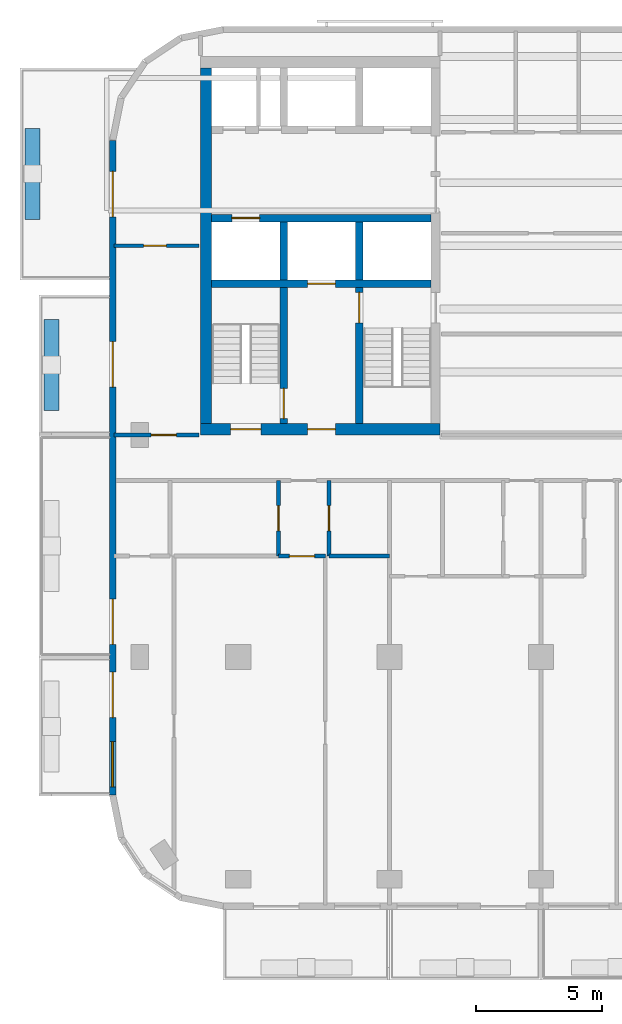
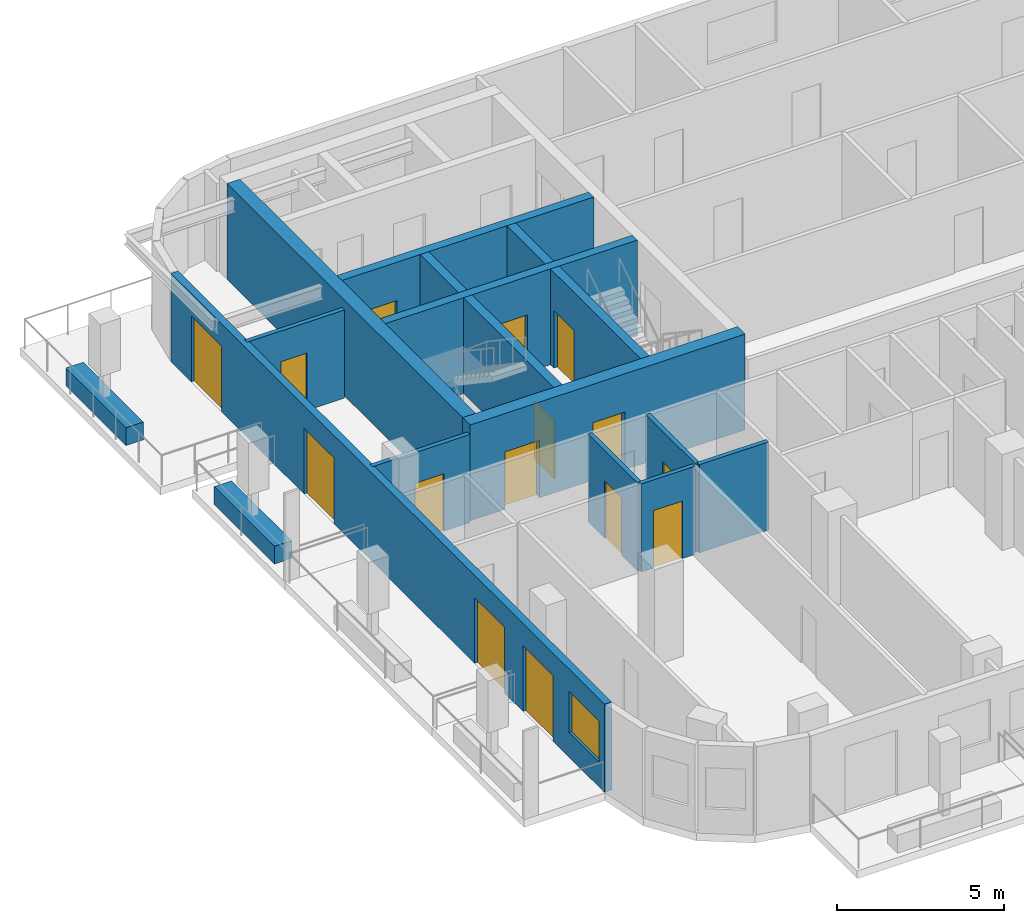
# One storey, part 3 of 11: 17 walls, 15 doors, 1 window, 16 openings.
"""IFC4 building model written with IfcOpenShell, lengths in metres."""

from ifc_helpers import new_model, si_unit, direction, frame, frame_2d, origin, place, context, subcontext, project, spatial, rectangle, extrude, material, layer, layer_set, type_object, element, fill, save


model = new_model("IFC4")

# Units and contexts
model_context = context("Model", 3, precision=1e-05, world=origin(), true_north=direction((0.0, 1.0)))
body_context = subcontext(model_context, "Body", "Model", "MODEL_VIEW")
ifc_project = project(units=[si_unit("LENGTHUNIT", "METRE"), si_unit("AREAUNIT", "SQUARE_METRE"), si_unit("VOLUMEUNIT", "CUBIC_METRE"), si_unit("PLANEANGLEUNIT", "RADIAN"), si_unit("MASSUNIT", "GRAM", prefix="KILO")], contexts=[model_context])

# Site, building, storey
site_placement = place(None, origin())
site = spatial("IfcSite", under=ifc_project, at=site_placement, CompositionType="ELEMENT")
building_placement = place(site_placement, origin())
building = spatial("IfcBuilding", under=site, at=building_placement, Name="Torana Hotel and Residences", CompositionType="ELEMENT")
storey_placement = place(building_placement, frame((0.0, 0.0, 256.10009765625)))
storey = spatial("IfcBuildingStorey", under=building, at=storey_placement, Name="L67", CompositionType="ELEMENT", Elevation=256.10009765625)

# Wall, opening, door
ifc_material_1 = material(Name="Concrete C60/75", Category="concrete")
ifc_layer_1 = layer(ifc_material_1, 0.300048828125)
ifc_layer_set_1 = layer_set([ifc_layer_1], Name="CORE WALL 300 C60/75")
wall_type_1 = type_object("IfcWallType", Name="CORE WALL 300 C60/75", PredefinedType="SHEAR", material=ifc_layer_set_1)
wall_1_placement = place(storey_placement, frame((-19.050048828125, -6.39990234375, 0.0), z_axis=(0.0, 0.0, 1.0), x_axis=(1.0, 0.0, 0.0)))
wall_1 = element("IfcWall", 1, at=wall_1_placement, inside=storey, type_object=wall_type_1, Name="Core wall W row-S", PredefinedType="SHEAR", context=body_context, shape_type="SweptSolid", body=[
    extrude(rectangle(XDim=8.699951171875, YDim=0.300048828125, at=frame_2d((4.35009765625, 0.0))), origin(), (0.0, 0.0, 1.0), 3.5),
])
opening_1_placement = place(wall_1_placement, frame((0.800048828125, 0.0, 0.0)))
opening_1 = element("IfcOpeningElement", 2, at=opening_1_placement, cuts=wall_1, Name="Opening LD", PredefinedType="OPENING", context=body_context, shape_type="SweptSolid", body=[
    extrude(rectangle(XDim=1.10009765625, YDim=2.10009765625, at=frame_2d((0.550048828125, 1.050048828125))), frame((0.0, 0.159912109375, 0.0), z_axis=(0.0, -1.0, 0.0), x_axis=(1.0, 0.0, 0.0)), (0.0, 0.0, 1.0), 0.320068359375),
])
ifc_material_2 = material(Name="Stainless steel 316", Category="steel")
door_type_1 = type_object("IfcDoorType", Name="LIFT LANDING DOOR LD 1100x2100", OperationType="DOUBLE_DOOR_SLIDING", PredefinedType="USERDEFINED", material=ifc_material_2)
door_1_placement = place(opening_1_placement, origin())
door_1 = element("IfcDoor", 3, at=door_1_placement, inside=storey, type_object=door_type_1, Name="Lift landing door SV1 L67", ObjectType="LIFT LANDING DOOR", OperationType="DOUBLE_DOOR_SLIDING", OverallHeight=2.10009765625, OverallWidth=1.10009765625, PredefinedType="USERDEFINED", context=body_context, shape_type="SweptSolid", body=[
    extrude(rectangle(XDim=1.10009765625, YDim=2.10009765625, at=frame_2d((0.550048828125, 1.050048828125))), frame((0.0, 0.02490234375, 0.0), z_axis=(0.0, -1.0, 0.0), x_axis=(1.0, 0.0, 0.0)), (0.0, 0.0, 1.0), 0.050048828125),
])
fill(opening_1, door_1)

wall_2_placement = place(storey_placement, frame((-19.050048828125, -9.0, 0.0), z_axis=(0.0, 0.0, 1.0), x_axis=(1.0, 0.0, 0.0)))
wall_2 = element("IfcWall", 4, at=wall_2_placement, inside=storey, type_object=wall_type_1, Name="Core wall W band", PredefinedType="SHEAR", context=body_context, shape_type="SweptSolid", body=[
    extrude(rectangle(XDim=8.699951171875, YDim=0.300048828125, at=frame_2d((4.35009765625, 0.0))), origin(), (0.0, 0.0, 1.0), 3.5),
])
opening_2_placement = place(wall_2_placement, frame((3.800048828125, 0.0, 0.0)))
opening_2 = element("IfcOpeningElement", 5, at=opening_2_placement, cuts=wall_2, Name="Opening LD", PredefinedType="OPENING", context=body_context, shape_type="SweptSolid", body=[
    extrude(rectangle(XDim=1.10009765625, YDim=2.10009765625, at=frame_2d((0.550048828125, 1.050048828125))), frame((0.0, 0.159912109375, 0.0), z_axis=(0.0, -1.0, 0.0), x_axis=(1.0, 0.0, 0.0)), (0.0, 0.0, 1.0), 0.320068359375),
])
door_2_placement = place(opening_2_placement, origin())
door_2 = element("IfcDoor", 6, at=door_2_placement, inside=storey, type_object=door_type_1, Name="Lift landing door FF1 L67", ObjectType="LIFT LANDING DOOR", OperationType="DOUBLE_DOOR_SLIDING", OverallHeight=2.10009765625, OverallWidth=1.10009765625, PredefinedType="USERDEFINED", context=body_context, shape_type="SweptSolid", body=[
    extrude(rectangle(XDim=1.10009765625, YDim=2.10009765625, at=frame_2d((0.550048828125, 1.050048828125))), frame((0.0, 0.02490234375, 0.0), z_axis=(0.0, -1.0, 0.0), x_axis=(1.0, 0.0, 0.0)), (0.0, 0.0, 1.0), 0.050048828125),
])
fill(opening_2, door_2)

# Wall
wall_3_placement = place(storey_placement, frame((-13.199951171875, -8.85009765625, 0.0), z_axis=(0.0, 0.0, 1.0), x_axis=(0.0, 1.0, 0.0)))
element("IfcWall", 7, at=wall_3_placement, inside=storey, type_object=wall_type_1, Name="Core wall W x3.05-S", PredefinedType="SHEAR", context=body_context, shape_type="SweptSolid", body=[
    extrude(rectangle(XDim=2.300048828125, YDim=0.300048828125, at=frame_2d((1.14990234375, 0.0))), origin(), (0.0, 0.0, 1.0), 3.5),
])

# Wall, opening, door
wall_4_placement = place(storey_placement, frame((-13.199951171875, -14.550048828125, 0.0), z_axis=(0.0, 0.0, 1.0), x_axis=(0.0, 1.0, 0.0)))
wall_4 = element("IfcWall", 8, at=wall_4_placement, inside=storey, type_object=wall_type_1, Name="Core wall W x3.05-band", PredefinedType="SHEAR", context=body_context, shape_type="SweptSolid", body=[
    extrude(rectangle(XDim=5.400146484375, YDim=0.300048828125, at=frame_2d((2.7001953125, 0.0))), origin(), (0.0, 0.0, 1.0), 3.5),
])
opening_3_placement = place(wall_4_placement, frame((4.0, 0.0, 0.0)))
opening_3 = element("IfcOpeningElement", 9, at=opening_3_placement, cuts=wall_4, Name="Opening L67-08", PredefinedType="OPENING", context=body_context, shape_type="SweptSolid", body=[
    extrude(rectangle(XDim=1.199951171875, YDim=2.10009765625, at=frame_2d((0.60009765625, 1.050048828125))), frame((0.0, 0.159912109375, 0.0), z_axis=(0.0, -1.0, 0.0), x_axis=(1.0, 0.0, 0.0)), (0.0, 0.0, 1.0), 0.320068359375),
])
ifc_material_3 = material(Name="Steel S235", Category="steel")
door_type_2 = type_object("IfcDoorType", Name="STAIR FIRE DOOR D3 1200x2100", OperationType="SINGLE_SWING_LEFT", PredefinedType="DOOR", material=ifc_material_3)
door_3_placement = place(opening_3_placement, frame((0.60009765625, 0.0, 0.0), z_axis=(0.0, 0.0, 1.0), x_axis=(-1.0, 0.0, 0.0)))
door_3 = element("IfcDoor", 10, at=door_3_placement, inside=storey, type_object=door_type_2, Name="Stair-A-lobby door L67", OperationType="SINGLE_SWING_RIGHT", OverallHeight=2.10009765625, OverallWidth=1.199951171875, PredefinedType="DOOR", context=body_context, shape_type="SweptSolid", body=[
    extrude(rectangle(XDim=1.199951171875, YDim=2.10009765625, at=frame_2d((0.0, 1.050048828125))), frame((0.0, -0.02490234375, 0.0), z_axis=(0.0, 1.0, 0.0), x_axis=(-1.0, 0.0, 0.0)), (0.0, 0.0, 1.0), 0.050048828125),
])
fill(opening_3, door_3)

# Wall
wall_5_placement = place(storey_placement, frame((-16.199951171875, -8.85009765625, 0.0), z_axis=(0.0, 0.0, 1.0), x_axis=(0.0, 1.0, 0.0)))
element("IfcWall", 11, at=wall_5_placement, inside=storey, type_object=wall_type_1, Name="Core wall W x6.05-S", PredefinedType="SHEAR", context=body_context, shape_type="SweptSolid", body=[
    extrude(rectangle(XDim=2.300048828125, YDim=0.300048828125, at=frame_2d((1.14990234375, 0.0))), origin(), (0.0, 0.0, 1.0), 3.5),
])

# Wall, opening, door
wall_6_placement = place(storey_placement, frame((-16.199951171875, -14.550048828125, 0.0), z_axis=(0.0, 0.0, 1.0), x_axis=(0.0, 1.0, 0.0)))
wall_6 = element("IfcWall", 12, at=wall_6_placement, inside=storey, type_object=wall_type_1, Name="Core wall W x6.05-band", PredefinedType="SHEAR", context=body_context, shape_type="SweptSolid", body=[
    extrude(rectangle(XDim=5.400146484375, YDim=0.300048828125, at=frame_2d((2.7001953125, 0.0))), origin(), (0.0, 0.0, 1.0), 3.5),
])
opening_4_placement = place(wall_6_placement, frame((0.199951171875, 0.0, 0.0)))
opening_4 = element("IfcOpeningElement", 13, at=opening_4_placement, cuts=wall_6, Name="Opening L67-09", PredefinedType="OPENING", context=body_context, shape_type="SweptSolid", body=[
    extrude(rectangle(XDim=1.199951171875, YDim=2.10009765625, at=frame_2d((0.60009765625, 1.050048828125))), frame((0.0, 0.159912109375, 0.0), z_axis=(0.0, -1.0, 0.0), x_axis=(1.0, 0.0, 0.0)), (0.0, 0.0, 1.0), 0.320068359375),
])
door_4_placement = place(opening_4_placement, origin())
door_4 = element("IfcDoor", 14, at=door_4_placement, inside=storey, type_object=door_type_2, Name="Stair-B-lobby door L67", OperationType="SINGLE_SWING_RIGHT", OverallHeight=2.10009765625, OverallWidth=1.199951171875, PredefinedType="DOOR", context=body_context, shape_type="SweptSolid", body=[
    extrude(rectangle(XDim=1.199951171875, YDim=2.10009765625, at=frame_2d((0.60009765625, 1.050048828125))), frame((0.0, 0.02490234375, 0.0), z_axis=(0.0, -1.0, 0.0), x_axis=(1.0, 0.0, 0.0)), (0.0, 0.0, 1.0), 0.050048828125),
])
fill(opening_4, door_4)

# Wall, openings, doors
ifc_material_4 = material(Name="Concrete C60/75", Category="concrete")
ifc_layer_2 = layer(ifc_material_4, 0.449951171875)
ifc_layer_set_2 = layer_set([ifc_layer_2], Name="CORE WALL 450 C60/75")
wall_type_2 = type_object("IfcWallType", Name="CORE WALL 450 C60/75", PredefinedType="SHEAR", material=ifc_layer_set_2)
wall_7_placement = place(storey_placement, frame((-19.5, -14.77490234375, 0.0), z_axis=(0.0, 0.0, 1.0), x_axis=(1.0, 0.0, 0.0)))
wall_7 = element("IfcWall", 15, at=wall_7_placement, inside=storey, type_object=wall_type_2, Name="Core wall W front", PredefinedType="SHEAR", context=body_context, shape_type="SweptSolid", body=[
    extrude(rectangle(XDim=9.5, YDim=0.449951171875, at=frame_2d((4.75, 0.0))), origin(), (0.0, 0.0, 1.0), 3.5),
])
opening_5_placement = place(wall_7_placement, frame((1.199951171875, 0.0, 0.0)))
opening_5 = element("IfcOpeningElement", 16, at=opening_5_placement, cuts=wall_7, Name="Opening L67-04", PredefinedType="OPENING", context=body_context, shape_type="SweptSolid", body=[
    extrude(rectangle(XDim=1.199951171875, YDim=2.10009765625, at=frame_2d((0.60009765625, 1.050048828125))), frame((0.0, 0.23486328125, 0.0), z_axis=(0.0, -1.0, 0.0), x_axis=(1.0, 0.0, 0.0)), (0.0, 0.0, 1.0), 0.469970703125),
])
opening_6_placement = place(wall_7_placement, frame((4.25, 0.0, 0.0)))
opening_6 = element("IfcOpeningElement", 17, at=opening_6_placement, cuts=wall_7, Name="Opening L67-05", PredefinedType="OPENING", context=body_context, shape_type="SweptSolid", body=[
    extrude(rectangle(XDim=1.10009765625, YDim=2.10009765625, at=frame_2d((0.550048828125, 1.050048828125))), frame((0.0, 0.23486328125, 0.0), z_axis=(0.0, -1.0, 0.0), x_axis=(1.0, 0.0, 0.0)), (0.0, 0.0, 1.0), 0.469970703125),
])
ifc_material_5 = material(Name="Steel S235", Category="steel")
door_type_3 = type_object("IfcDoorType", Name="FIRE-FIGHTING LOBBY DOOR D8 1100x2100", OperationType="SINGLE_SWING_LEFT", PredefinedType="DOOR", material=ifc_material_5)
door_5_placement = place(opening_6_placement, origin())
door_5 = element("IfcDoor", 18, at=door_5_placement, inside=storey, type_object=door_type_3, Name="FF-lobby door L67", OperationType="SINGLE_SWING_RIGHT", OverallHeight=2.10009765625, OverallWidth=1.10009765625, PredefinedType="DOOR", context=body_context, shape_type="SweptSolid", body=[
    extrude(rectangle(XDim=1.10009765625, YDim=2.10009765625, at=frame_2d((0.550048828125, 1.050048828125))), frame((0.0, 0.02490234375, 0.0), z_axis=(0.0, -1.0, 0.0), x_axis=(1.0, 0.0, 0.0)), (0.0, 0.0, 1.0), 0.050048828125),
])
fill(opening_6, door_5)
door_6_placement = place(opening_5_placement, origin())
door_6 = element("IfcDoor", 19, at=door_6_placement, inside=storey, type_object=door_type_2, Name="Stair-B door L67", OperationType="SINGLE_SWING_RIGHT", OverallHeight=2.10009765625, OverallWidth=1.199951171875, PredefinedType="DOOR", context=body_context, shape_type="SweptSolid", body=[
    extrude(rectangle(XDim=1.199951171875, YDim=2.10009765625, at=frame_2d((0.60009765625, 1.050048828125))), frame((0.0, 0.02490234375, 0.0), z_axis=(0.0, -1.0, 0.0), x_axis=(1.0, 0.0, 0.0)), (0.0, 0.0, 1.0), 0.050048828125),
])
fill(opening_5, door_6)

# Wall
wall_8_placement = place(storey_placement, frame((-19.27490234375, -14.550048828125, 0.0), z_axis=(0.0, 0.0, 1.0), x_axis=(0.0, 1.0, 0.0)))
element("IfcWall", 20, at=wall_8_placement, inside=storey, type_object=wall_type_2, Name="Core wall W outer", PredefinedType="SHEAR", context=body_context, shape_type="SweptSolid", body=[
    extrude(rectangle(XDim=14.10009765625, YDim=0.449951171875, at=frame_2d((7.050048828125, 0.0))), origin(), (0.0, 0.0, 1.0), 3.5),
])

# Wall, openings, doors, window
ifc_material_6 = material(Name="Black aluminium composite panel", Category="aluminium")
ifc_layer_3 = layer(ifc_material_6, 0.00390625, Name="Cladding", Category="cladding")
ifc_material_7 = material(Name="Ventilated air cavity")
ifc_layer_4 = layer(ifc_material_7, 0.0400390625, Name="Ventilated cavity", Category="cavity")
ifc_material_8 = material(Name="Mineral wool insulation")
ifc_layer_5 = layer(ifc_material_8, 0.090087890625, Name="Insulation", Category="insulation")
ifc_material_9 = material(Name="Steel S280GD", Category="steel")
ifc_layer_6 = layer(ifc_material_9, 0.092041015625, Name="Steel stud frame", Category="structure")
ifc_material_10 = material(Name="Fire rated plasterboard")
ifc_layer_7 = layer(ifc_material_10, 0.011962890625, Name="Inner board", Category="finish")
ifc_layer_8 = layer(ifc_material_10, 0.011962890625, Name="Second board", Category="finish")
ifc_layer_set_3 = layer_set([ifc_layer_3, ifc_layer_4, ifc_layer_5, ifc_layer_6, ifc_layer_7, ifc_layer_8], Name="EW1 EXTERNAL WALL BLACK METAL CLAD 250")
wall_type_3 = type_object("IfcWallType", Name="EW1 EXTERNAL WALL BLACK METAL CLAD 250", PredefinedType="SOLIDWALL", material=ifc_layer_set_3)
wall_9_placement = place(storey_placement, frame((-22.97509765625, -3.32470703125, 0.0), z_axis=(0.0, 0.0, 1.0), x_axis=(0.0, -1.0, 0.0)))
wall_9 = element("IfcWall", 21, at=wall_9_placement, inside=storey, type_object=wall_type_3, Name="External wall L67 e0.9", PredefinedType="SOLIDWALL", context=body_context, shape_type="SweptSolid", body=[
    extrude(rectangle(XDim=25.95068359375, YDim=0.25, at=frame_2d((12.975341796875, 0.0))), origin(), (0.0, 0.0, 1.0), 3.219970703125),
])
opening_7_placement = place(wall_9_placement, frame((1.225341796875, 0.0, 0.0)))
opening_7 = element("IfcOpeningElement", 22, at=opening_7_placement, cuts=wall_9, Name="Opening L67-E11", PredefinedType="OPENING", context=body_context, shape_type="SweptSolid", body=[
    extrude(rectangle(XDim=1.800048828125, YDim=2.39990234375, at=frame_2d((0.89990234375, 1.199951171875))), frame((0.0, 0.135009765625, 0.0), z_axis=(0.0, -1.0, 0.0), x_axis=(1.0, 0.0, 0.0)), (0.0, 0.0, 1.0), 0.27001953125),
])
opening_8_placement = place(wall_9_placement, frame((7.975341796875, 0.0, 0.0)))
opening_8 = element("IfcOpeningElement", 23, at=opening_8_placement, cuts=wall_9, Name="Opening L67-E12", PredefinedType="OPENING", context=body_context, shape_type="SweptSolid", body=[
    extrude(rectangle(XDim=1.800048828125, YDim=2.39990234375, at=frame_2d((0.89990234375, 1.199951171875))), frame((0.0, 0.135009765625, 0.0), z_axis=(0.0, -1.0, 0.0), x_axis=(1.0, 0.0, 0.0)), (0.0, 0.0, 1.0), 0.27001953125),
])
opening_9_placement = place(wall_9_placement, frame((18.17529296875, 0.0, 0.0)))
opening_9 = element("IfcOpeningElement", 24, at=opening_9_placement, cuts=wall_9, Name="Opening L67-E13", PredefinedType="OPENING", context=body_context, shape_type="SweptSolid", body=[
    extrude(rectangle(XDim=1.800048828125, YDim=2.39990234375, at=frame_2d((0.89990234375, 1.199951171875))), frame((0.0, 0.135009765625, 0.0), z_axis=(0.0, -1.0, 0.0), x_axis=(1.0, 0.0, 0.0)), (0.0, 0.0, 1.0), 0.27001953125),
])
opening_10_placement = place(wall_9_placement, frame((21.075439453125, 0.0, 0.0)))
opening_10 = element("IfcOpeningElement", 25, at=opening_10_placement, cuts=wall_9, Name="Opening L67-E14", PredefinedType="OPENING", context=body_context, shape_type="SweptSolid", body=[
    extrude(rectangle(XDim=1.800048828125, YDim=2.39990234375, at=frame_2d((0.89990234375, 1.199951171875))), frame((0.0, 0.135009765625, 0.0), z_axis=(0.0, -1.0, 0.0), x_axis=(1.0, 0.0, 0.0)), (0.0, 0.0, 1.0), 0.27001953125),
])
opening_11_placement = place(wall_9_placement, frame((23.825439453125, 0.0, 0.89990234375)))
opening_11 = element("IfcOpeningElement", 26, at=opening_11_placement, cuts=wall_9, Name="Opening W4", PredefinedType="OPENING", context=body_context, shape_type="SweptSolid", body=[
    extrude(rectangle(XDim=1.800048828125, YDim=1.5, at=frame_2d((0.89990234375, 0.75))), frame((0.0, 0.135009765625, 0.0), z_axis=(0.0, -1.0, 0.0), x_axis=(1.0, 0.0, 0.0)), (0.0, 0.0, 1.0), 0.27001953125),
])
ifc_material_11 = material(Name="Dark glass in black aluminium frame", Category="aluminium")
door_type_4 = type_object("IfcDoorType", Name="DB1 BALCONY DOOR 1800x2400", OperationType="DOUBLE_DOOR_SINGLE_SWING", PredefinedType="DOOR", material=ifc_material_11)
door_7_placement = place(opening_7_placement, origin())
door_7 = element("IfcDoor", 27, at=door_7_placement, inside=storey, type_object=door_type_4, Name="Balcony door L67", OperationType="DOUBLE_DOOR_SINGLE_SWING", OverallHeight=2.39990234375, OverallWidth=1.800048828125, PredefinedType="DOOR", context=body_context, shape_type="SweptSolid", body=[
    extrude(rectangle(XDim=1.800048828125, YDim=2.39990234375, at=frame_2d((0.89990234375, 1.199951171875))), frame((0.0, 0.02490234375, 0.0), z_axis=(0.0, -1.0, 0.0), x_axis=(1.0, 0.0, 0.0)), (0.0, 0.0, 1.0), 0.050048828125),
])
fill(opening_7, door_7)
door_8_placement = place(opening_8_placement, origin())
door_8 = element("IfcDoor", 28, at=door_8_placement, inside=storey, type_object=door_type_4, Name="Balcony door L67", OperationType="DOUBLE_DOOR_SINGLE_SWING", OverallHeight=2.39990234375, OverallWidth=1.800048828125, PredefinedType="DOOR", context=body_context, shape_type="SweptSolid", body=[
    extrude(rectangle(XDim=1.800048828125, YDim=2.39990234375, at=frame_2d((0.89990234375, 1.199951171875))), frame((0.0, 0.02490234375, 0.0), z_axis=(0.0, -1.0, 0.0), x_axis=(1.0, 0.0, 0.0)), (0.0, 0.0, 1.0), 0.050048828125),
])
fill(opening_8, door_8)
door_9_placement = place(opening_9_placement, origin())
door_9 = element("IfcDoor", 29, at=door_9_placement, inside=storey, type_object=door_type_4, Name="Balcony door L67", OperationType="DOUBLE_DOOR_SINGLE_SWING", OverallHeight=2.39990234375, OverallWidth=1.800048828125, PredefinedType="DOOR", context=body_context, shape_type="SweptSolid", body=[
    extrude(rectangle(XDim=1.800048828125, YDim=2.39990234375, at=frame_2d((0.89990234375, 1.199951171875))), frame((0.0, 0.02490234375, 0.0), z_axis=(0.0, -1.0, 0.0), x_axis=(1.0, 0.0, 0.0)), (0.0, 0.0, 1.0), 0.050048828125),
])
fill(opening_9, door_9)
door_10_placement = place(opening_10_placement, origin())
door_10 = element("IfcDoor", 30, at=door_10_placement, inside=storey, type_object=door_type_4, Name="Balcony door L67", OperationType="DOUBLE_DOOR_SINGLE_SWING", OverallHeight=2.39990234375, OverallWidth=1.800048828125, PredefinedType="DOOR", context=body_context, shape_type="SweptSolid", body=[
    extrude(rectangle(XDim=1.800048828125, YDim=2.39990234375, at=frame_2d((0.89990234375, 1.199951171875))), frame((0.0, 0.02490234375, 0.0), z_axis=(0.0, -1.0, 0.0), x_axis=(1.0, 0.0, 0.0)), (0.0, 0.0, 1.0), 0.050048828125),
])
fill(opening_10, door_10)
ifc_material_12 = material(Name="Dark glass in black aluminium frame", Category="aluminium")
window_type = type_object("IfcWindowType", Name="W4 RESIDENCE WINDOW NARROW 1800x1500", PartitioningType="SINGLE_PANEL", PredefinedType="WINDOW", material=ifc_material_12)
window_placement = place(opening_11_placement, origin())
window = element("IfcWindow", 31, at=window_placement, inside=storey, type_object=window_type, Name="Window L67", OverallHeight=1.5, OverallWidth=1.800048828125, PartitioningType="SINGLE_PANEL", PredefinedType="WINDOW", context=body_context, shape_type="SweptSolid", body=[
    extrude(rectangle(XDim=1.800048828125, YDim=1.5, at=frame_2d((0.89990234375, 0.75))), frame((0.0, 0.030029296875, 0.0), z_axis=(0.0, -1.0, 0.0), x_axis=(1.0, 0.0, 0.0)), (0.0, 0.0, 1.0), 0.06005859375),
])
fill(opening_11, window)

# Wall, opening, door
ifc_material_13 = material(Name="Gypsum plaster")
ifc_layer_9 = layer(ifc_material_13, 0.014892578125, Name="Plaster", Category="finish")
ifc_material_14 = material(Name="Concrete blockwork", Category="masonry")
ifc_layer_10 = layer(ifc_material_14, 0.1201171875, Name="Blockwork", Category="structure")
ifc_layer_11 = layer(ifc_material_13, 0.014892578125, Name="Plaster", Category="finish")
ifc_layer_set_4 = layer_set([ifc_layer_9, ifc_layer_10, ifc_layer_11], Name="FIRE PARTITION 150 BLOCKWORK")
wall_type_4 = type_object("IfcWallType", Name="FIRE PARTITION 150 BLOCKWORK", PredefinedType="PARTITIONING", material=ifc_layer_set_4)
wall_10_placement = place(storey_placement, frame((-14.39990234375, -19.800048828125, 0.0), z_axis=(0.0, 0.0, 1.0), x_axis=(0.0, 1.0, 0.0)))
wall_10 = element("IfcWall", 32, at=wall_10_placement, inside=storey, type_object=wall_type_4, Name="Partition L67", PredefinedType="PARTITIONING", context=body_context, shape_type="SweptSolid", body=[
    extrude(rectangle(XDim=3.0, YDim=0.14990234375, at=frame_2d((1.5, 0.0))), origin(), (0.0, 0.0, 1.0), 3.219970703125),
])
opening_12_placement = place(wall_10_placement, frame((1.0, 0.0, 0.0)))
opening_12 = element("IfcOpeningElement", 33, at=opening_12_placement, cuts=wall_10, Name="Opening L67-47", PredefinedType="OPENING", context=body_context, shape_type="SweptSolid", body=[
    extrude(rectangle(XDim=1.0, YDim=2.10009765625, at=frame_2d((0.5, 1.050048828125))), frame((0.0, 0.0849609375, 0.0), z_axis=(0.0, -1.0, 0.0), x_axis=(1.0, 0.0, 0.0)), (0.0, 0.0, 1.0), 0.169921875),
])
ifc_material_15 = material(Name="Steel S235", Category="steel")
door_type_5 = type_object("IfcDoorType", Name="ENTRY FIRE DOOR D6 1000x2100", OperationType="SINGLE_SWING_LEFT", PredefinedType="DOOR", material=ifc_material_15)
door_11_placement = place(opening_12_placement, frame((0.5, 0.0, 0.0), z_axis=(0.0, 0.0, 1.0), x_axis=(-1.0, 0.0, 0.0)))
door_11 = element("IfcDoor", 34, at=door_11_placement, inside=storey, type_object=door_type_5, Name="Door L67", OperationType="SINGLE_SWING_LEFT", OverallHeight=2.10009765625, OverallWidth=1.0, PredefinedType="DOOR", context=body_context, shape_type="SweptSolid", body=[
    extrude(rectangle(XDim=1.0, YDim=2.10009765625, at=frame_2d((0.0, 1.050048828125))), frame((0.0, -0.02490234375, 0.0), z_axis=(0.0, 1.0, 0.0), x_axis=(-1.0, 0.0, 0.0)), (0.0, 0.0, 1.0), 0.050048828125),
])
fill(opening_12, door_11)

wall_11_placement = place(storey_placement, frame((-16.39990234375, -19.800048828125, 0.0), z_axis=(0.0, 0.0, 1.0), x_axis=(0.0, 1.0, 0.0)))
wall_11 = element("IfcWall", 35, at=wall_11_placement, inside=storey, type_object=wall_type_4, Name="Partition L67", PredefinedType="PARTITIONING", context=body_context, shape_type="SweptSolid", body=[
    extrude(rectangle(XDim=3.0, YDim=0.14990234375, at=frame_2d((1.5, 0.0))), origin(), (0.0, 0.0, 1.0), 3.219970703125),
])
opening_13_placement = place(wall_11_placement, frame((1.0, 0.0, 0.0)))
opening_13 = element("IfcOpeningElement", 36, at=opening_13_placement, cuts=wall_11, Name="Opening L67-48", PredefinedType="OPENING", context=body_context, shape_type="SweptSolid", body=[
    extrude(rectangle(XDim=1.0, YDim=2.10009765625, at=frame_2d((0.5, 1.050048828125))), frame((0.0, 0.0849609375, 0.0), z_axis=(0.0, -1.0, 0.0), x_axis=(1.0, 0.0, 0.0)), (0.0, 0.0, 1.0), 0.169921875),
])
door_12_placement = place(opening_13_placement, origin())
door_12 = element("IfcDoor", 37, at=door_12_placement, inside=storey, type_object=door_type_5, Name="Door L67", OperationType="SINGLE_SWING_RIGHT", OverallHeight=2.10009765625, OverallWidth=1.0, PredefinedType="DOOR", context=body_context, shape_type="SweptSolid", body=[
    extrude(rectangle(XDim=1.0, YDim=2.10009765625, at=frame_2d((0.5, 1.050048828125))), frame((0.0, 0.02490234375, 0.0), z_axis=(0.0, -1.0, 0.0), x_axis=(1.0, 0.0, 0.0)), (0.0, 0.0, 1.0), 0.050048828125),
])
fill(opening_13, door_12)

wall_12_placement = place(storey_placement, frame((-16.39990234375, -19.800048828125, 0.0), z_axis=(0.0, 0.0, 1.0), x_axis=(1.0, 0.0, 0.0)))
wall_12 = element("IfcWall", 38, at=wall_12_placement, inside=storey, type_object=wall_type_4, Name="Partition L67", PredefinedType="PARTITIONING", context=body_context, shape_type="SweptSolid", body=[
    extrude(rectangle(XDim=1.849853515625, YDim=0.14990234375, at=frame_2d((0.9248046875, 0.0))), origin(), (0.0, 0.0, 1.0), 3.219970703125),
])
opening_14_placement = place(wall_12_placement, frame((0.425048828125, 0.0, 0.0)))
opening_14 = element("IfcOpeningElement", 39, at=opening_14_placement, cuts=wall_12, Name="Opening L67-49", PredefinedType="OPENING", context=body_context, shape_type="SweptSolid", body=[
    extrude(rectangle(XDim=1.0, YDim=2.10009765625, at=frame_2d((0.5, 1.050048828125))), frame((0.0, 0.0849609375, 0.0), z_axis=(0.0, -1.0, 0.0), x_axis=(1.0, 0.0, 0.0)), (0.0, 0.0, 1.0), 0.169921875),
])
door_13_placement = place(opening_14_placement, frame((0.5, 0.0, 0.0), z_axis=(0.0, 0.0, 1.0), x_axis=(-1.0, 0.0, 0.0)))
door_13 = element("IfcDoor", 40, at=door_13_placement, inside=storey, type_object=door_type_5, Name="Door L67", OperationType="SINGLE_SWING_RIGHT", OverallHeight=2.10009765625, OverallWidth=1.0, PredefinedType="DOOR", context=body_context, shape_type="SweptSolid", body=[
    extrude(rectangle(XDim=1.0, YDim=2.10009765625, at=frame_2d((0.0, 1.050048828125))), frame((0.0, -0.02490234375, 0.0), z_axis=(0.0, 1.0, 0.0), x_axis=(-1.0, 0.0, 0.0)), (0.0, 0.0, 1.0), 0.050048828125),
])
fill(opening_14, door_13)

wall_13_placement = place(storey_placement, frame((-22.919921875, -15.0, 0.0), z_axis=(0.0, 0.0, 1.0), x_axis=(1.0, 0.0, 0.0)))
wall_13 = element("IfcWall", 41, at=wall_13_placement, inside=storey, type_object=wall_type_4, Name="Partition L67", PredefinedType="PARTITIONING", context=body_context, shape_type="SweptSolid", body=[
    extrude(rectangle(XDim=3.369873046875, YDim=0.14990234375, at=frame_2d((1.68505859375, 0.0))), origin(), (0.0, 0.0, 1.0), 3.219970703125),
])
opening_15_placement = place(wall_13_placement, frame((1.469970703125, 0.0, 0.0)))
opening_15 = element("IfcOpeningElement", 42, at=opening_15_placement, cuts=wall_13, Name="Opening L67-29", PredefinedType="OPENING", context=body_context, shape_type="SweptSolid", body=[
    extrude(rectangle(XDim=1.0, YDim=2.10009765625, at=frame_2d((0.5, 1.050048828125))), frame((0.0, 0.0849609375, 0.0), z_axis=(0.0, -1.0, 0.0), x_axis=(1.0, 0.0, 0.0)), (0.0, 0.0, 1.0), 0.169921875),
])
ifc_material_16 = material(Name="Steel S235", Category="steel")
door_type_6 = type_object("IfcDoorType", Name="CORE ROOM FIRE DOOR D14 1000x2100", OperationType="SINGLE_SWING_LEFT", PredefinedType="DOOR", material=ifc_material_16)
door_14_placement = place(opening_15_placement, origin())
door_14 = element("IfcDoor", 43, at=door_14_placement, inside=storey, type_object=door_type_6, Name="Door L67", OperationType="SINGLE_SWING_RIGHT", OverallHeight=2.10009765625, OverallWidth=1.0, PredefinedType="DOOR", context=body_context, shape_type="SweptSolid", body=[
    extrude(rectangle(XDim=1.0, YDim=2.10009765625, at=frame_2d((0.5, 1.050048828125))), frame((0.0, 0.02490234375, 0.0), z_axis=(0.0, -1.0, 0.0), x_axis=(1.0, 0.0, 0.0)), (0.0, 0.0, 1.0), 0.050048828125),
])
fill(opening_15, door_14)

# Wall
ifc_material_17 = material(Name="Gypsum plasterboard")
ifc_layer_12 = layer(ifc_material_17, 0.012451171875, Name="Plasterboard", Category="finish")
ifc_layer_13 = layer(ifc_material_17, 0.012451171875, Name="Plasterboard", Category="finish")
ifc_layer_14 = layer(ifc_material_9, 0.10009765625, Name="Steel studs with mineral wool", Category="insulation")
ifc_layer_15 = layer(ifc_material_17, 0.012451171875, Name="Plasterboard", Category="finish")
ifc_layer_16 = layer(ifc_material_17, 0.012451171875, Name="Plasterboard", Category="finish")
ifc_layer_set_5 = layer_set([ifc_layer_12, ifc_layer_13, ifc_layer_14, ifc_layer_15, ifc_layer_16], Name="PARTITION 150 PLASTERBOARD")
wall_type_5 = type_object("IfcWallType", Name="PARTITION 150 PLASTERBOARD", PredefinedType="PARTITIONING", material=ifc_layer_set_5)
wall_14_placement = place(storey_placement, frame((-14.39990234375, -19.800048828125, 0.0), z_axis=(0.0, 0.0, 1.0), x_axis=(1.0, 0.0, 0.0)))
element("IfcWall", 44, at=wall_14_placement, inside=storey, type_object=wall_type_5, Name="Partition L67", PredefinedType="PARTITIONING", context=body_context, shape_type="SweptSolid", body=[
    extrude(rectangle(XDim=2.39990234375, YDim=0.14990234375, at=frame_2d((1.199951171875, 0.0))), origin(), (0.0, 0.0, 1.0), 3.219970703125),
])

# Wall, opening, door
wall_15_placement = place(storey_placement, frame((-22.919921875, -7.5, 0.0), z_axis=(0.0, 0.0, 1.0), x_axis=(1.0, 0.0, 0.0)))
wall_15 = element("IfcWall", 45, at=wall_15_placement, inside=storey, type_object=wall_type_5, Name="Partition L67", PredefinedType="PARTITIONING", context=body_context, shape_type="SweptSolid", body=[
    extrude(rectangle(XDim=3.369873046875, YDim=0.14990234375, at=frame_2d((1.68505859375, 0.0))), origin(), (0.0, 0.0, 1.0), 3.219970703125),
])
opening_16_placement = place(wall_15_placement, frame((1.169921875, 0.0, 0.0)))
opening_16 = element("IfcOpeningElement", 46, at=opening_16_placement, cuts=wall_15, Name="Opening L67-61", PredefinedType="OPENING", context=body_context, shape_type="SweptSolid", body=[
    extrude(rectangle(XDim=0.89990234375, YDim=2.10009765625, at=frame_2d((0.449951171875, 1.050048828125))), frame((0.0, 0.0849609375, 0.0), z_axis=(0.0, -1.0, 0.0), x_axis=(1.0, 0.0, 0.0)), (0.0, 0.0, 1.0), 0.169921875),
])
ifc_material_18 = material(Name="Timber door, oiled ash", Category="wood")
door_type_7 = type_object("IfcDoorType", Name="ROOM DOOR D7 900x2100", OperationType="SINGLE_SWING_LEFT", PredefinedType="DOOR", material=ifc_material_18)
door_15_placement = place(opening_16_placement, origin())
door_15 = element("IfcDoor", 47, at=door_15_placement, inside=storey, type_object=door_type_7, Name="Door L67", OperationType="SINGLE_SWING_RIGHT", OverallHeight=2.10009765625, OverallWidth=0.89990234375, PredefinedType="DOOR", context=body_context, shape_type="SweptSolid", body=[
    extrude(rectangle(XDim=0.89990234375, YDim=2.10009765625, at=frame_2d((0.449951171875, 1.050048828125))), frame((0.0, 0.02490234375, 0.0), z_axis=(0.0, -1.0, 0.0), x_axis=(1.0, 0.0, 0.0)), (0.0, 0.0, 1.0), 0.050048828125),
])
fill(opening_16, door_15)

# Walls
ifc_material_19 = material(Name="Concrete C40/50 precast", Category="concrete")
ifc_layer_17 = layer(ifc_material_19, 0.10009765625, Name="Planter shell", Category="structure")
ifc_material_20 = material(Name="Root resistant membrane")
ifc_layer_18 = layer(ifc_material_20, 0.00390625, Name="Waterproofing membrane", Category="membrane")
ifc_material_21 = material(Name="Drainage board with filter fleece")
ifc_layer_19 = layer(ifc_material_21, 0.02001953125, Name="Drainage board", Category="drainage")
ifc_material_22 = material(Name="Growing medium")
ifc_layer_20 = layer(ifc_material_22, 0.47607421875, Name="Planting substrate", Category="soil")
ifc_layer_set_6 = layer_set([ifc_layer_17, ifc_layer_18, ifc_layer_19, ifc_layer_20], Name="PL1 BALCONY PLANTER 600")
wall_type_6 = type_object("IfcWallType", Name="PL1 BALCONY PLANTER 600", PredefinedType="USERDEFINED", material=ifc_layer_set_6)
for number, where, z_axis, x_axis, name in (
    (48, (-25.39990234375, -14.02490234375, 0.0), (0.0, 0.0, 1.0), (0.0, 1.0, 0.0), "Planter 09"),
    (49, (-26.14990234375, -6.449951171875, 0.0), (0.0, 0.0, 1.0), (0.0, 1.0, 0.0), "Planter 10"),
):
    element("IfcWall", number, at=place(storey_placement, frame(where, z_axis=z_axis, x_axis=x_axis)), inside=storey, type_object=wall_type_6, Name=name, ObjectType="PLANTER", PredefinedType="USERDEFINED", context=body_context, shape_type="SweptSolid", body=[
        extrude(rectangle(XDim=3.599853515625, YDim=0.60009765625, at=frame_2d((1.7998046875, 0.0))), origin(), (0.0, 0.0, 1.0), 0.64990234375),
    ])

save(model, "model.ifc")
